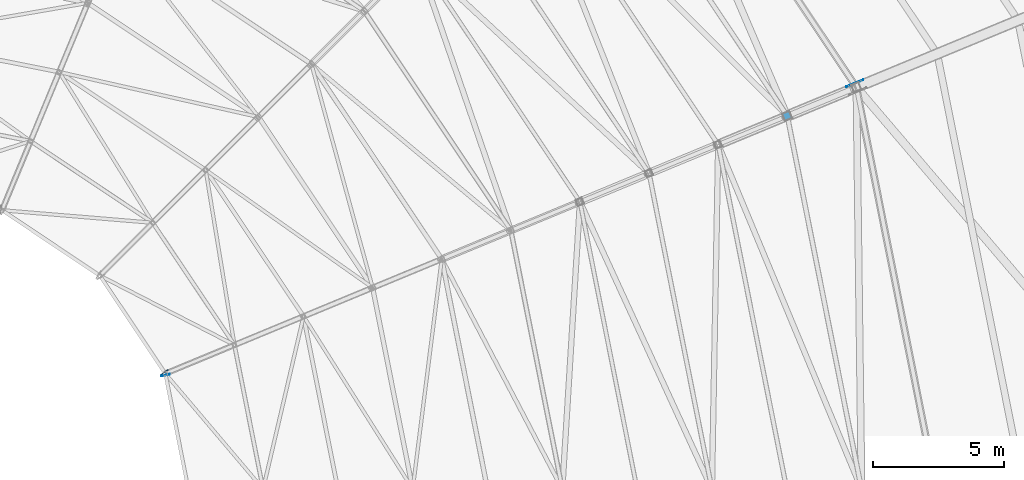
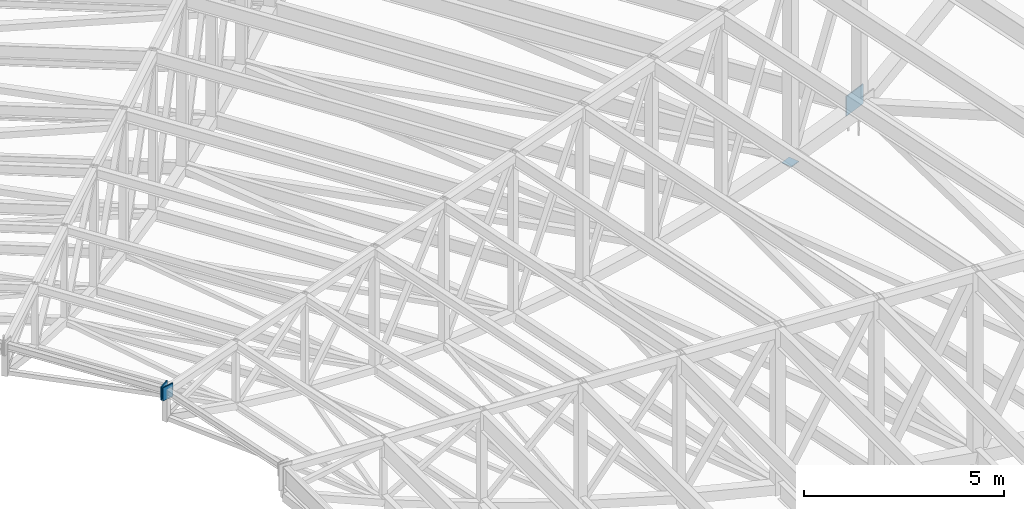
# One storey, part 257 of 278: 4 discrete accessories.
"""IFC4 building model written with IfcOpenShell, lengths in metres."""

from ifc_helpers import new_model, si_unit, direction, frame, origin, origin_2d, place, context, subcontext, project, spatial, rectangle, extrude, material, layer, layer_set, type_object, element, save


model = new_model("IFC4")

# Units and contexts
model_context = context("Model", 3, precision=1e-05, world=origin(), true_north=direction((0.0, 1.0)))
body_context = subcontext(model_context, "Body", "Model", "MODEL_VIEW")
ifc_project = project(units=[si_unit("LENGTHUNIT", "METRE"), si_unit("AREAUNIT", "SQUARE_METRE"), si_unit("VOLUMEUNIT", "CUBIC_METRE"), si_unit("PLANEANGLEUNIT", "RADIAN"), si_unit("MASSUNIT", "GRAM", prefix="KILO")], contexts=[model_context])

# Site, building, storey
site_placement = place(None, origin())
site = spatial("IfcSite", under=ifc_project, at=site_placement, CompositionType="ELEMENT")
building_placement = place(site_placement, origin())
building = spatial("IfcBuilding", under=site, at=building_placement, Name="Ogive Plaza Stadium", CompositionType="ELEMENT")
storey_placement = place(building_placement, frame((0.0, 0.0, 29.0)))
storey = spatial("IfcBuildingStorey", under=building, at=storey_placement, Name="Roof", CompositionType="ELEMENT", Elevation=29.0)

# Discrete accessories
ifc_material_1 = material(Name="Steel ASTM A992 Grade 50", Category="steel")
ifc_layer_1 = layer(ifc_material_1, 0.030029296875)
ifc_layer_set_1 = layer_set([ifc_layer_1], Name="Steel ASTM A992 Grade 50")
discrete_accessory_type_1 = type_object("IfcDiscreteAccessoryType", Name="Ring beam end plate 30", PredefinedType="ANCHORPLATE", material=ifc_layer_set_1)
for number, where, z_axis, x_axis, name in (
    (1, (44.5908203125, 56.951416015625, 7.1181640625), (0.0, 0.0, 1.0), (0.555570232976, -0.831469612332, 0.0), "RING BEAM END PLATE B39 2"),
    (2, (44.636474609375, 56.841064453125, 7.1181640625), (0.0, 0.0, 1.0), (0.195090321862, -0.980785280434, 0.0), "RING BEAM END PLATE B40 1"),
):
    element("IfcDiscreteAccessory", number, at=place(storey_placement, frame(where, z_axis=z_axis, x_axis=x_axis)), inside=storey, type_object=discrete_accessory_type_1, Name=name, PredefinedType="ANCHORPLATE", context=body_context, shape_type="SweptSolid", body=[
        extrude(rectangle(XDim=0.030029296875, YDim=0.33349609375, at=origin_2d()), origin(), (0.0, 0.0, 1.0), 0.40673828125),
    ])
ifc_material_2 = material(Name="Steel ASTM A992 Grade 50", Category="steel")
ifc_layer_2 = layer(ifc_material_2, 0.02001953125)
ifc_layer_set_2 = layer_set([ifc_layer_2], Name="Steel ASTM A992 Grade 50")
discrete_accessory_type_2 = type_object("IfcDiscreteAccessoryType", Name="Roof truss post cap plate 20", PredefinedType="ANCHORPLATE", material=ifc_layer_set_2)
discrete_accessory_1_placement = place(storey_placement, frame((68.322021484375, 66.716796875, 0.04541015625), z_axis=(0.0, 0.0, 1.0), x_axis=(0.923879532511, 0.382683432365, 0.0)))
element("IfcDiscreteAccessory", 3, at=discrete_accessory_1_placement, inside=storey, type_object=discrete_accessory_type_2, Name="ROOF TRUSS POST CAP PLATE 40 10", PredefinedType="ANCHORPLATE", context=body_context, shape_type="SweptSolid", body=[
    extrude(rectangle(XDim=0.3046875, YDim=0.3046875, at=origin_2d()), origin(), (0.0, 0.0, 1.0), 0.02001953125),
])
ifc_material_3 = material(Name="Steel ASTM A992 Grade 50", Category="steel")
ifc_layer_3 = layer(ifc_material_3, 0.030029296875)
ifc_layer_set_3 = layer_set([ifc_layer_3], Name="Steel ASTM A992 Grade 50")
discrete_accessory_type_3 = type_object("IfcDiscreteAccessoryType", Name="Truss root foot cleat plate 30", PredefinedType="ANCHORPLATE", material=ifc_layer_set_3)
discrete_accessory_2_placement = place(storey_placement, frame((70.8916015625, 67.961181640625, 0.0), z_axis=(0.0, 0.0, 1.0), x_axis=(0.923879532511, 0.382683432365, 0.0)))
element("IfcDiscreteAccessory", 4, at=discrete_accessory_2_placement, inside=storey, type_object=discrete_accessory_type_3, Name="TRUSS ROOT FOOT CLEAT PLATE 40 1", PredefinedType="ANCHORPLATE", context=body_context, shape_type="SweptSolid", body=[
    extrude(rectangle(XDim=0.704833984375, YDim=0.030029296875, at=origin_2d()), origin(), (0.0, 0.0, 1.0), 0.60009765625),
])

save(model, "model.ifc")
